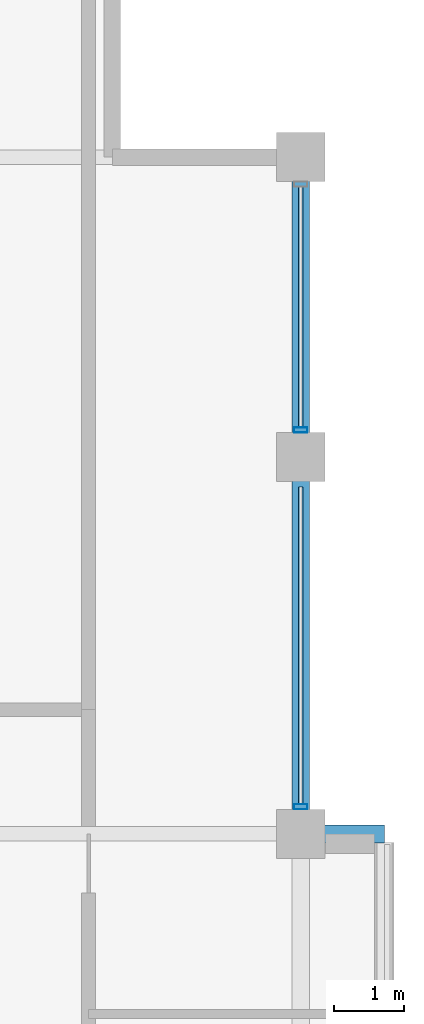
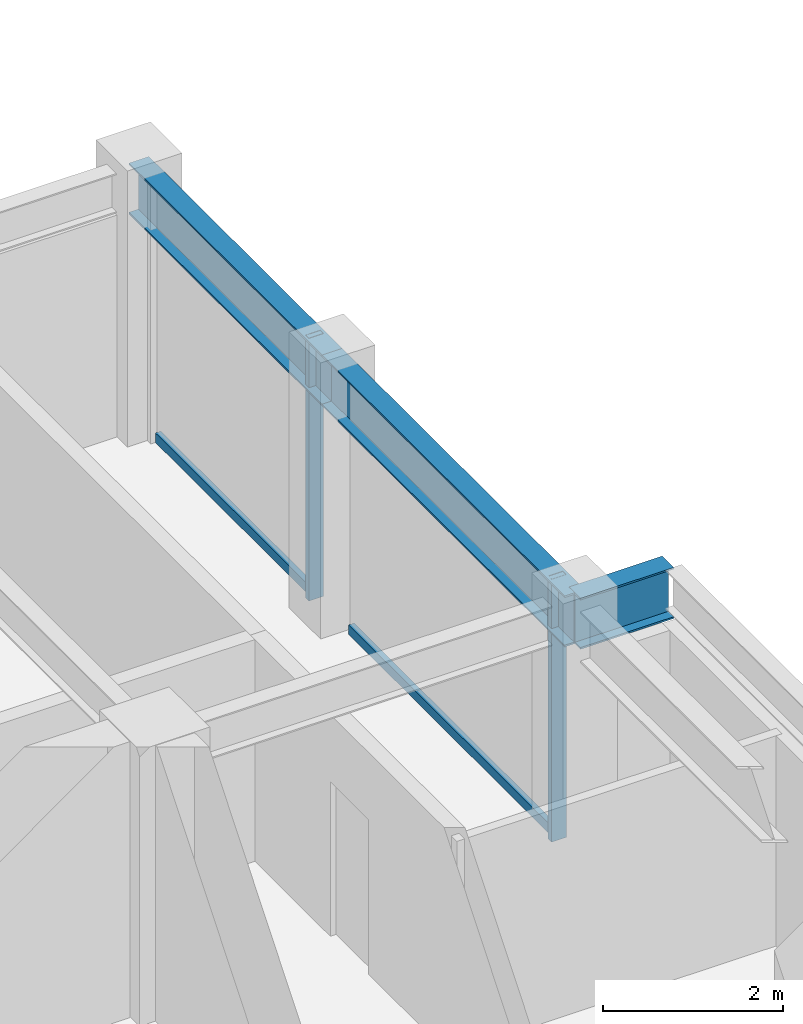
# One storey, part 18 of 29: 4 members, 3 beams, 1 element without a shape of its own.
"""IFC4 building model written with IfcOpenShell, lengths in metres."""

from ifc_helpers import new_model, si_unit, direction, frame, origin, origin_2d, place, context, subcontext, project, spatial, hollow_rectangle, i_section, extrude, material, layer, layer_set, material_profile, profile_set, type_object, element, aggregate, save


model = new_model("IFC4")

# Units and contexts
model_context = context("Model", 3, precision=1e-05, world=origin(), true_north=direction((0.0, 1.0)))
body_context = subcontext(model_context, "Body", "Model", "MODEL_VIEW")
ifc_project = project(units=[si_unit("LENGTHUNIT", "METRE"), si_unit("AREAUNIT", "SQUARE_METRE"), si_unit("VOLUMEUNIT", "CUBIC_METRE"), si_unit("PLANEANGLEUNIT", "RADIAN"), si_unit("MASSUNIT", "GRAM", prefix="KILO")], contexts=[model_context])

# Site, building, storey
site_placement = place(None, origin())
site = spatial("IfcSite", under=ifc_project, at=site_placement, CompositionType="ELEMENT")
building_placement = place(site_placement, origin())
building = spatial("IfcBuilding", under=site, at=building_placement, Name="Surkhivell Harbour Commons", CompositionType="ELEMENT")
storey_placement = place(building_placement, frame((0.0, 0.0, 277.5)))
storey = spatial("IfcBuildingStorey", under=building, at=storey_placement, Name="L72", CompositionType="ELEMENT", Elevation=277.5)

# Beams
ifc_material_1 = material(Name="Steel S460", Category="steel")
ifc_material_profile_1 = material_profile(ifc_material_1, i_section(OverallWidth=0.256103515625, OverallDepth=0.693115234375, WebThickness=0.014404296875, FlangeThickness=0.023681640625, at=origin_2d()), Name="UB686x254x170")
ifc_profile_set_1 = profile_set([ifc_material_profile_1], Name="Steel S460")
beam_type_1 = type_object("IfcBeamType", Name="BM-CNT-686", PredefinedType="BEAM", material=ifc_profile_set_1)
beam_1_placement = place(storey_placement, frame((16.199951171875, 10.800048828125, 3.223388671875), z_axis=(1.0, 0.0, 0.0), x_axis=(0.0, 1.0, 0.0)))
element("IfcBeam", 1, at=beam_1_placement, inside=storey, type_object=beam_type_1, Name="L72 Box Cantilever Outrigger (16.2,10.8)", PredefinedType="BEAM", context=body_context, shape_type="SweptSolid", body=[
    extrude(i_section(OverallWidth=0.256103515625, OverallDepth=0.693115234375, WebThickness=0.014404296875, FlangeThickness=0.023681640625, at=origin_2d()), origin(), (0.0, 0.0, 1.0), 1.199951171875),
])
ifc_material_2 = material(Name="Steel S355", Category="steel")
ifc_material_profile_2 = material_profile(ifc_material_2, i_section(OverallWidth=0.256103515625, OverallDepth=0.693115234375, WebThickness=0.014404296875, FlangeThickness=0.023681640625, at=origin_2d()), Name="UB686x254x170")
ifc_profile_set_2 = profile_set([ifc_material_profile_2], Name="Steel S355")
beam_type_2 = type_object("IfcBeamType", Name="BM-SPN-686", PredefinedType="SPANDREL", material=ifc_profile_set_2)
beam_2_placement = place(storey_placement, frame((16.199951171875, 10.800048828125, 3.223388671875), z_axis=(0.0, 1.0, 0.0), x_axis=(-1.0, 0.0, 0.0)))
element("IfcBeam", 2, at=beam_2_placement, inside=storey, type_object=beam_type_2, Name="L72 Tube Spandrel (16.2,10.8)", PredefinedType="SPANDREL", context=body_context, shape_type="SweptSolid", body=[
    extrude(i_section(OverallWidth=0.256103515625, OverallDepth=0.693115234375, WebThickness=0.014404296875, FlangeThickness=0.023681640625, at=origin_2d()), origin(), (0.0, 0.0, 1.0), 5.39990234375),
])
beam_3_placement = place(storey_placement, frame((16.199951171875, 16.199951171875, 3.223388671875), z_axis=(0.0, 1.0, 0.0), x_axis=(-1.0, 0.0, 0.0)))
element("IfcBeam", 3, at=beam_3_placement, inside=storey, type_object=beam_type_2, Name="L72 Tube Spandrel (16.2,16.2)", PredefinedType="SPANDREL", context=body_context, shape_type="SweptSolid", body=[
    extrude(i_section(OverallWidth=0.256103515625, OverallDepth=0.693115234375, WebThickness=0.014404296875, FlangeThickness=0.023681640625, at=origin_2d()), origin(), (0.0, 0.0, 1.0), 4.300048828125),
])

# Curtain wall, members
ifc_material_3 = material(Name="Anodised pale-metal aluminium and insulated glazing", Category="aluminium")
ifc_layer = layer(ifc_material_3, 0.175048828125)
ifc_layer_set = layer_set([ifc_layer], Name="Anodised pale-metal aluminium and insulated glazing")
curtain_wall_type = type_object("IfcCurtainWallType", Name="CW-SYS-Z4", PredefinedType="NOTDEFINED", material=ifc_layer_set)
curtain_wall_placement = place(storey_placement, origin())
curtain_wall = element("IfcCurtainWall", 4, at=curtain_wall_placement, inside=storey, type_object=curtain_wall_type, Name="L72 Curtain Wall CW-L72-E02R2", PredefinedType="NOTDEFINED")
ifc_material_4 = material(Name="Anodised pale-metal aluminium alloy 6063-T6", Category="aluminium")
ifc_material_profile_3 = material_profile(ifc_material_4, hollow_rectangle(XDim=0.074951171875, YDim=0.18994140625, WallThickness=0.00390625, at=origin_2d()), Name="ALU-MULL-75x190")
ifc_profile_set_3 = profile_set([ifc_material_profile_3], Name="Anodised pale-metal aluminium alloy 6063-T6")
member_type_1 = type_object("IfcMemberType", Name="CWM-190", PredefinedType="MULLION", material=ifc_profile_set_3)
member_1_placement = place(storey_placement, frame((16.199951171875, 11.189453125, 0.0), z_axis=(0.0, 0.0, 1.0), x_axis=(0.0, 1.0, 0.0)))
member_1 = element("IfcMember", 5, at=member_1_placement, type_object=member_type_1, Name="CW-Z4 mullion 1", PredefinedType="MULLION", context=body_context, shape_type="SweptSolid", body=[
    extrude(hollow_rectangle(XDim=0.074951171875, YDim=0.18994140625, WallThickness=0.00390625, at=origin_2d()), origin(), (0.0, 0.0, 1.0), 3.570068359375),
])
member_2_placement = place(storey_placement, frame((16.199951171875, 16.589599609375, 0.0), z_axis=(0.0, 0.0, 1.0), x_axis=(0.0, 1.0, 0.0)))
member_2 = element("IfcMember", 6, at=member_2_placement, type_object=member_type_1, Name="CW-Z4 mullion 2", PredefinedType="MULLION", context=body_context, shape_type="SweptSolid", body=[
    extrude(hollow_rectangle(XDim=0.074951171875, YDim=0.18994140625, WallThickness=0.00390625, at=origin_2d()), origin(), (0.0, 0.0, 1.0), 3.570068359375),
])
ifc_material_5 = material(Name="Champagne anodised aluminium alloy 6063-T6", Category="aluminium")
ifc_material_profile_4 = material_profile(ifc_material_5, hollow_rectangle(XDim=0.070068359375, YDim=0.1298828125, WallThickness=0.00341796875, at=origin_2d()), Name="ALU-TRAN-70x130")
ifc_profile_set_4 = profile_set([ifc_material_profile_4], Name="Champagne anodised aluminium alloy 6063-T6")
member_type_2 = type_object("IfcMemberType", Name="CWT-130", PredefinedType="USERDEFINED", material=ifc_profile_set_4)
member_3_placement = place(storey_placement, frame((16.199951171875, 11.22705078125, 0.06494140625), z_axis=(0.0, 1.0, 0.0), x_axis=(-1.0, 0.0, 0.0)))
member_3 = element("IfcMember", 7, at=member_3_placement, type_object=member_type_2, Name="CW-Z4 transom 1.1", ObjectType="TRANSOM", PredefinedType="USERDEFINED", context=body_context, shape_type="SweptSolid", body=[
    extrude(hollow_rectangle(XDim=0.070068359375, YDim=0.1298828125, WallThickness=0.00341796875, at=origin_2d()), origin(), (0.0, 0.0, 1.0), 4.5458984375),
])
member_4_placement = place(storey_placement, frame((16.199951171875, 16.626953125, 0.06494140625), z_axis=(0.0, 1.0, 0.0), x_axis=(-1.0, 0.0, 0.0)))
member_4 = element("IfcMember", 8, at=member_4_placement, type_object=member_type_2, Name="CW-Z4 transom 2.1", ObjectType="TRANSOM", PredefinedType="USERDEFINED", context=body_context, shape_type="SweptSolid", body=[
    extrude(hollow_rectangle(XDim=0.070068359375, YDim=0.1298828125, WallThickness=0.00341796875, at=origin_2d()), origin(), (0.0, 0.0, 1.0), 3.446044921875),
])
aggregate(curtain_wall, [member_1, member_3, member_2, member_4])

save(model, "model.ifc")
